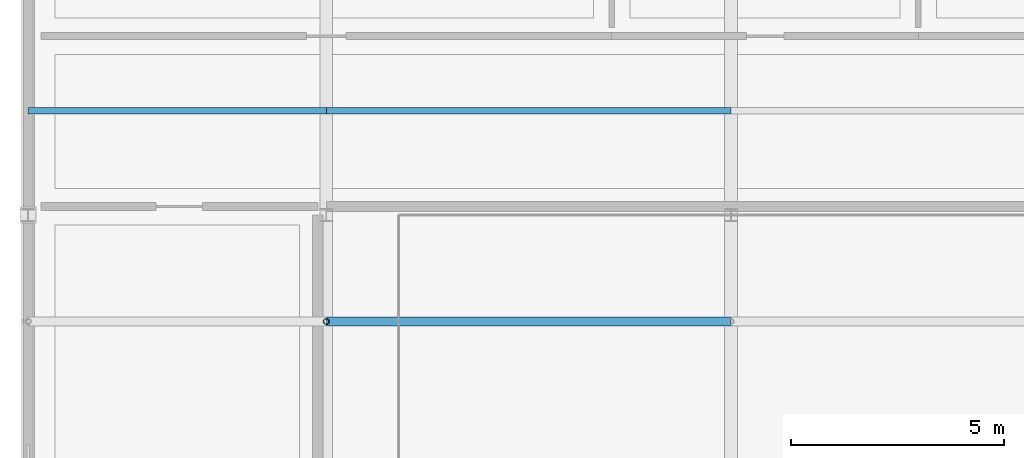
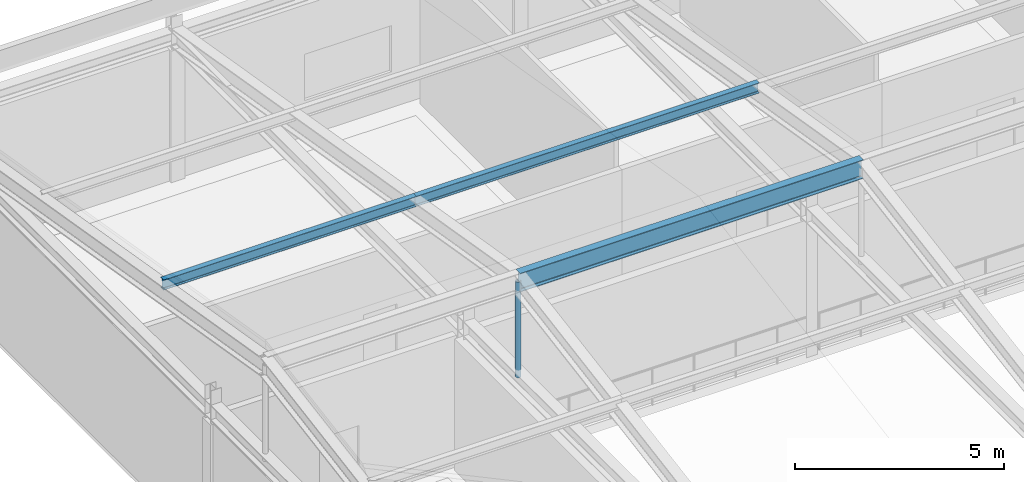
# One storey, part 19 of 108: 3 members, 1 beam.
"""IFC4 building model written with IfcOpenShell, lengths in metres."""

from ifc_helpers import new_model, si_unit, direction, frame, origin, origin_2d, place, context, subcontext, project, spatial, hollow_circle, i_section, extrude, material, material_profile, profile_set, type_object, element, save


model = new_model("IFC4")

# Units and contexts
model_context = context("Model", 3, precision=1e-05, world=origin(), true_north=direction((0.0, 1.0)))
body_context = subcontext(model_context, "Body", "Model", "MODEL_VIEW")
ifc_project = project(units=[si_unit("LENGTHUNIT", "METRE"), si_unit("AREAUNIT", "SQUARE_METRE"), si_unit("VOLUMEUNIT", "CUBIC_METRE"), si_unit("PLANEANGLEUNIT", "RADIAN"), si_unit("MASSUNIT", "GRAM", prefix="KILO")], contexts=[model_context])

# Site, building, storey
site_placement = place(None, origin())
site = spatial("IfcSite", under=ifc_project, at=site_placement, CompositionType="ELEMENT")
building_placement = place(site_placement, origin())
building = spatial("IfcBuilding", under=site, at=building_placement, Name="Tarnveldt Headland Concert Hall", CompositionType="ELEMENT")
storey_placement = place(building_placement, frame((0.0, 0.0, 9.60009765625)))
storey = spatial("IfcBuildingStorey", under=building, at=storey_placement, Name="L02", CompositionType="ELEMENT", Elevation=9.60009765625)

# Members
ifc_material = material(Name="Steel S355", Category="steel")
ifc_material_profile_1 = material_profile(ifc_material, i_section(OverallWidth=0.14990234375, OverallDepth=0.300048828125, WebThickness=0.007080078125, FlangeThickness=0.0107421875, FilletRadius=0.014892578125, at=origin_2d()), Name="IPE300", Category="steel")
ifc_profile_set_1 = profile_set([ifc_material_profile_1], Name="Steel S355")
member_type_1 = type_object("IfcMemberType", Name="PR-IPE300", PredefinedType="PURLIN", material=ifc_profile_set_1)
member_1_placement = place(storey_placement, frame((7.5, 26.449951171875, 6.31982421875), z_axis=(1.0, 0.0, 0.0), x_axis=(0.0, 1.0, 0.0)))
element("IfcMember", 1, at=member_1_placement, inside=storey, type_object=member_type_1, Name="Chamber roof purlin 1N-70", PredefinedType="PURLIN", context=body_context, shape_type="SweptSolid", body=[
    extrude(i_section(OverallWidth=0.14990234375, OverallDepth=0.300048828125, WebThickness=0.007080078125, FlangeThickness=0.0107421875, FilletRadius=0.014892578125, at=origin_2d()), origin(), (0.0, 0.0, 1.0), 7.0),
])
member_2_placement = place(storey_placement, frame((14.5, 26.449951171875, 6.31982421875), z_axis=(1.0, 0.0, 0.0), x_axis=(0.0, 1.0, 0.0)))
element("IfcMember", 2, at=member_2_placement, inside=storey, type_object=member_type_1, Name="Chamber roof purlin 2N-70", PredefinedType="PURLIN", context=body_context, shape_type="SweptSolid", body=[
    extrude(i_section(OverallWidth=0.14990234375, OverallDepth=0.300048828125, WebThickness=0.007080078125, FlangeThickness=0.0107421875, FilletRadius=0.014892578125, at=origin_2d()), origin(), (0.0, 0.0, 1.0), 9.5),
])

# Beam
ifc_material_profile_2 = material_profile(ifc_material, i_section(OverallWidth=0.2099609375, OverallDepth=0.550048828125, WebThickness=0.010986328125, FlangeThickness=0.01708984375, FilletRadius=0.02392578125, at=origin_2d()), Name="IPE550", Category="steel")
ifc_profile_set_2 = profile_set([ifc_material_profile_2], Name="Steel S355")
beam_type = type_object("IfcBeamType", Name="SB-IPE550", PredefinedType="BEAM", material=ifc_profile_set_2)
beam_placement = place(storey_placement, frame((14.5, 21.5, 6.9599609375), z_axis=(1.0, 0.0, 0.0), x_axis=(0.0, 1.0, 0.0)))
element("IfcBeam", 3, at=beam_placement, inside=storey, type_object=beam_type, Name="Chamber roof ridge beam 2", PredefinedType="BEAM", context=body_context, shape_type="SweptSolid", body=[
    extrude(i_section(OverallWidth=0.2099609375, OverallDepth=0.550048828125, WebThickness=0.010986328125, FlangeThickness=0.01708984375, FilletRadius=0.02392578125, at=origin_2d()), origin(), (0.0, 0.0, 1.0), 9.5),
])

# Member
ifc_material_profile_3 = material_profile(ifc_material, hollow_circle(Radius=0.06982421875, WallThickness=0.010009765625, at=origin_2d()), Name="CHS 139.7x10", Category="steel")
ifc_profile_set_3 = profile_set([ifc_material_profile_3], Name="Steel S355")
member_type_2 = type_object("IfcMemberType", Name="TR-WEB140", PredefinedType="BRACE", material=ifc_profile_set_3)
member_3_placement = place(storey_placement, frame((14.5, 21.5, 4.159912109375), z_axis=(0.0, 0.0, 1.0), x_axis=(1.0, 0.0, 0.0)))
element("IfcMember", 4, at=member_3_placement, inside=storey, type_object=member_type_2, Name="KP-01 Roof truss kingpost strut 14", PredefinedType="BRACE", context=body_context, shape_type="SweptSolid", body=[
    extrude(hollow_circle(Radius=0.06982421875, WallThickness=0.010009765625, at=origin_2d()), origin(), (0.0, 0.0, 1.0), 2.800048828125),
])

save(model, "model.ifc")
